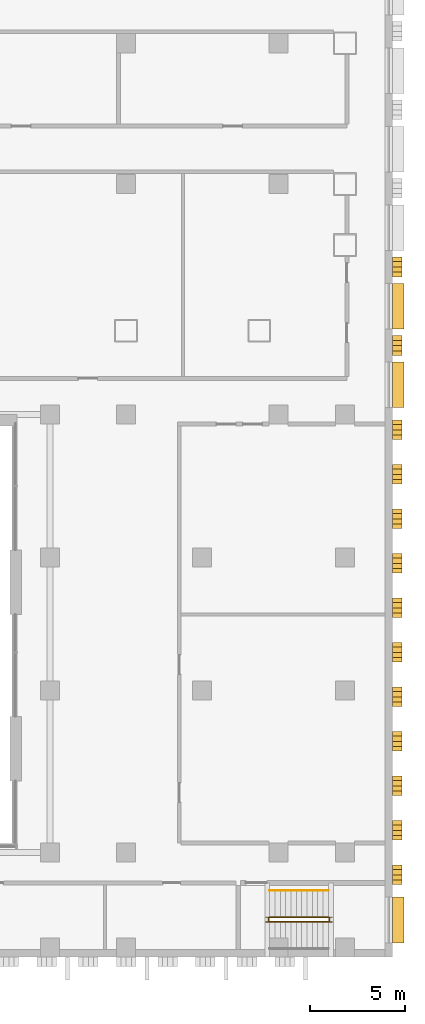
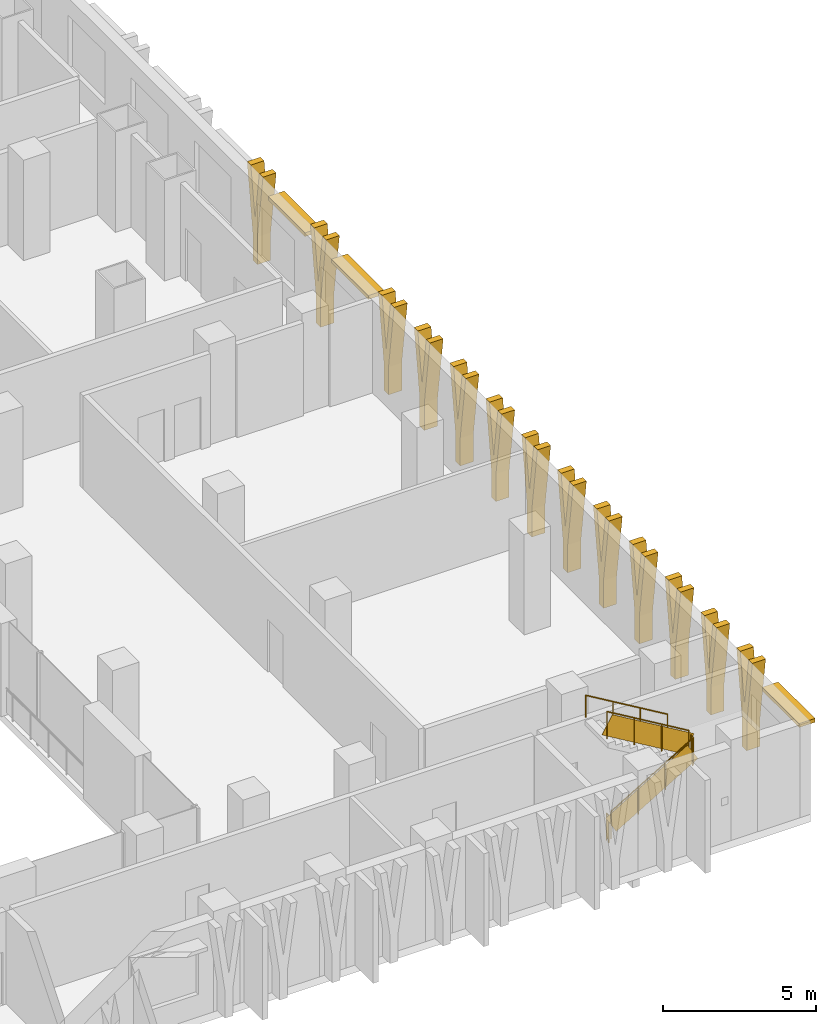
# One storey, part 22 of 25: 16 shading devices, 5 railings.
"""IFC4 building model written with IfcOpenShell, lengths in metres."""

from ifc_helpers import new_model, si_unit, direction, frame, origin, origin_2d, place, context, subcontext, project, spatial, polyline, rectangle, circle, outline, extrude, material, layer, layer_set, type_object, element, save


model = new_model("IFC4")

# Units and contexts
model_context = context("Model", 3, precision=1e-05, world=origin(), true_north=direction((0.0, 1.0)))
body_context = subcontext(model_context, "Body", "Model", "MODEL_VIEW")
ifc_project = project(units=[si_unit("LENGTHUNIT", "METRE"), si_unit("AREAUNIT", "SQUARE_METRE"), si_unit("VOLUMEUNIT", "CUBIC_METRE"), si_unit("PLANEANGLEUNIT", "RADIAN"), si_unit("MASSUNIT", "GRAM", prefix="KILO")], contexts=[model_context])

# Site, building, storey
site_placement = place(None, origin())
site = spatial("IfcSite", under=ifc_project, at=site_placement, CompositionType="ELEMENT")
building_placement = place(site_placement, origin())
building = spatial("IfcBuilding", under=site, at=building_placement, Name="Vidyagriha Tower", CompositionType="ELEMENT")
storey_placement = place(building_placement, frame((0.0, 0.0, 14.0)))
storey = spatial("IfcBuildingStorey", under=building, at=storey_placement, Name="L03", CompositionType="ELEMENT", Elevation=14.0)

# Shading devices
ifc_material_1 = material(Name="Precast concrete C40/50 with brick facing", Category="concrete")
ifc_layer_1 = layer(ifc_material_1, 0.14990234375)
ifc_layer_set_1 = layer_set([ifc_layer_1], Name="Precast concrete C40/50 with brick facing")
shading_device_type_1 = type_object("IfcShadingDeviceType", Name="Brick chhajja window hood", PredefinedType="AWNING", material=ifc_layer_set_1)
for number, where, z_axis, x_axis, name in (
    (1, (40.300048828125, -48.050048828125, 3.0), (0.0, 0.0, 1.0), (0.0, 1.0, 0.0), "Window hood L03 R01.1"),
    (2, (40.300048828125, -19.9375, 3.0), (0.0, 0.0, 1.0), (0.0, 1.0, 0.0), "Window hood L03 R01.10"),
    (3, (40.300048828125, -15.8125, 3.0), (0.0, 0.0, 1.0), (0.0, 1.0, 0.0), "Window hood L03 R01.11"),
):
    element("IfcShadingDevice", number, at=place(storey_placement, frame(where, z_axis=z_axis, x_axis=x_axis)), inside=storey, type_object=shading_device_type_1, Name=name, PredefinedType="AWNING", context=body_context, shape_type="SweptSolid", body=[
        extrude(rectangle(XDim=2.39990234375, YDim=0.60009765625, at=origin_2d()), origin(), (0.0, 0.0, 1.0), 0.14990234375),
    ])
ifc_material_2 = material(Name="Precast concrete C40/50 with buff brick facing", Category="concrete")
ifc_layer_2 = layer(ifc_material_2, 0.300048828125)
ifc_layer_set_2 = layer_set([ifc_layer_2], Name="Precast concrete C40/50 with buff brick facing")
shading_device_type_2 = type_object("IfcShadingDeviceType", Name="Brick-faced podium blade forking 8 degrees", PredefinedType="USERDEFINED", material=ifc_layer_set_2)
for number, where, z_axis, x_axis, name in (
    (4, (40.25, -46.19677734375, 0.0), (0.0, 0.0, 1.0), (0.0, 1.0, 0.0), "Podium blade L03 R01.432"),
    (5, (40.25, -43.859130859375, 0.0), (0.0, 0.0, 1.0), (0.0, 1.0, 0.0), "Podium blade L03 R01.666"),
    (6, (40.25, -41.521728515625, 0.0), (0.0, 0.0, 1.0), (0.0, 1.0, 0.0), "Podium blade L03 R01.899"),
    (7, (40.25, -39.18408203125, 0.0), (0.0, 0.0, 1.0), (0.0, 1.0, 0.0), "Podium blade L03 R01.1133"),
    (8, (40.25, -36.8466796875, 0.0), (0.0, 0.0, 1.0), (0.0, 1.0, 0.0), "Podium blade L03 R01.1367"),
    (9, (40.25, -34.50927734375, 0.0), (0.0, 0.0, 1.0), (0.0, 1.0, 0.0), "Podium blade L03 R01.1601"),
    (10, (40.25, -32.171630859375, 0.0), (0.0, 0.0, 1.0), (0.0, 1.0, 0.0), "Podium blade L03 R01.1834"),
    (11, (40.25, -29.834228515625, 0.0), (0.0, 0.0, 1.0), (0.0, 1.0, 0.0), "Podium blade L03 R01.2068"),
    (12, (40.25, -27.49658203125, 0.0), (0.0, 0.0, 1.0), (0.0, 1.0, 0.0), "Podium blade L03 R01.2302"),
    (13, (40.25, -25.1591796875, 0.0), (0.0, 0.0, 1.0), (0.0, 1.0, 0.0), "Podium blade L03 R01.2536"),
    (14, (40.25, -22.82177734375, 0.0), (0.0, 0.0, 1.0), (0.0, 1.0, 0.0), "Podium blade L03 R01.2769"),
    (15, (40.25, -18.390380859375, 0.0), (0.0, 0.0, 1.0), (0.0, 1.0, 0.0), "Podium blade L03 R01.3212"),
    (16, (40.25, -14.265380859375, 0.0), (0.0, 0.0, 1.0), (0.0, 1.0, 0.0), "Podium blade L03 R01.3625"),
):
    element("IfcShadingDevice", number, at=place(storey_placement, frame(where, z_axis=z_axis, x_axis=x_axis)), inside=storey, type_object=shading_device_type_2, Name=name, ObjectType="BLADE FIN", PredefinedType="USERDEFINED", context=body_context, shape_type="SweptSolid", body=[
        extrude(outline(polyline([(0.665283203125, 0.0), (0.665283203125, 1.10009765625), (1.03076171875, 3.699951171875), (0.790771484375, 3.699951171875), (0.515380859375, 1.740478515625), (0.239990234375, 3.699951171875), (0.0, 3.699951171875), (0.365478515625, 1.10009765625), (0.365478515625, 0.0), (0.665283203125, 0.0)])), frame((0.0, 0.25, 0.0), z_axis=(0.0, -1.0, 0.0), x_axis=(1.0, 0.0, 0.0)), (0.0, 0.0, 1.0), 0.5),
    ])

# Railings
ifc_material_3 = material(Name="Powder coated ASTM A500 Grade C steel balustrade", Category="steel")
railing_type_1 = type_object("IfcRailingType", Name="Podium Stair Guard 1100", PredefinedType="GUARDRAIL", material=ifc_material_3)
railing_1_placement = place(storey_placement, frame((33.544921875, -48.14990234375, 0.166748046875)))
element("IfcRailing", 17, at=railing_1_placement, inside=storey, type_object=railing_type_1, Name="L03 PS2 stair guard 1", PredefinedType="GUARDRAIL", context=body_context, shape_type="SweptSolid", body=[
    extrude(circle(Radius=0.02392578125, at=origin_2d()), frame((0.0, 0.0, 1.076171875), z_axis=(0.859308565015, 0.0, 0.511457515432), x_axis=(0.0, 1.0, 0.0)), (0.0, 0.0, 1.0), 3.58447265625),
    extrude(circle(Radius=0.02099609375, at=origin_2d()), origin(), (0.0, 0.0, 1.0), 1.052001953125),
    extrude(circle(Radius=0.02099609375, at=origin_2d()), frame((1.026611328125, 0.0, 0.611083984375)), (0.0, 0.0, 1.0), 1.052001953125),
    extrude(circle(Radius=0.02099609375, at=origin_2d()), frame((2.053466796875, 0.0, 1.22216796875)), (0.0, 0.0, 1.0), 1.052001953125),
    extrude(circle(Radius=0.02099609375, at=origin_2d()), frame((3.080078125, 0.0, 1.833251953125)), (0.0, 0.0, 1.0), 1.052001953125),
    extrude(rectangle(XDim=0.010009765625, YDim=0.775146484375, at=origin_2d()), frame((0.0, 0.0, 0.551025390625), z_axis=(0.859308565015, 0.0, 0.511457515432), x_axis=(0.0, 1.0, 0.0)), (0.0, 0.0, 1.0), 3.58447265625),
])
railing_2_placement = place(storey_placement, frame((36.675048828125, -48.10009765625, 2.0)))
element("IfcRailing", 18, at=railing_2_placement, inside=storey, type_object=railing_type_1, Name="L03 PS2 stair guard 2", PredefinedType="GUARDRAIL", context=body_context, shape_type="SweptSolid", body=[
    extrude(circle(Radius=0.02392578125, at=origin_2d()), frame((0.0, 0.0, 1.076171875), z_axis=(0.0, 1.0, 0.0), x_axis=(-1.0, 0.0, 0.0)), (0.0, 0.0, 1.0), 0.150146484375),
    extrude(circle(Radius=0.02099609375, at=origin_2d()), origin(), (0.0, 0.0, 1.0), 1.052001953125),
    extrude(circle(Radius=0.02099609375, at=origin_2d()), frame((0.0, 0.150146484375, 0.0)), (0.0, 0.0, 1.0), 1.052001953125),
    extrude(rectangle(XDim=0.010009765625, YDim=0.902099609375, at=origin_2d()), frame((0.0, 0.0, 0.551025390625), z_axis=(0.0, 1.0, 0.0), x_axis=(-1.0, 0.0, 0.0)), (0.0, 0.0, 1.0), 0.150146484375),
])
railing_3_placement = place(storey_placement, frame((36.625, -47.89990234375, 2.166748046875)))
element("IfcRailing", 19, at=railing_3_placement, inside=storey, type_object=railing_type_1, Name="L03 PS2 stair guard 3", PredefinedType="GUARDRAIL", context=body_context, shape_type="SweptSolid", body=[
    extrude(circle(Radius=0.02392578125, at=origin_2d()), frame((0.0, 0.0, 1.076171875), z_axis=(-0.859308565015, 0.0, 0.511457515432), x_axis=(0.0, -1.0, 0.0)), (0.0, 0.0, 1.0), 3.58447265625),
    extrude(circle(Radius=0.02099609375, at=origin_2d()), origin(), (0.0, 0.0, 1.0), 1.052001953125),
    extrude(circle(Radius=0.02099609375, at=origin_2d()), frame((-1.026611328125, 0.0, 0.611083984375)), (0.0, 0.0, 1.0), 1.052001953125),
    extrude(circle(Radius=0.02099609375, at=origin_2d()), frame((-2.053466796875, 0.0, 1.22216796875)), (0.0, 0.0, 1.0), 1.052001953125),
    extrude(circle(Radius=0.02099609375, at=origin_2d()), frame((-3.080078125, 0.0, 1.833251953125)), (0.0, 0.0, 1.0), 1.052001953125),
    extrude(rectangle(XDim=0.010009765625, YDim=0.775146484375, at=origin_2d()), frame((0.0, 0.0, 0.551025390625), z_axis=(-0.859308565015, 0.0, 0.511457515432), x_axis=(0.0, -1.0, 0.0)), (0.0, 0.0, 1.0), 3.58447265625),
])
railing_4_placement = place(storey_placement, frame((33.4951171875, -48.10009765625, 0.0)))
element("IfcRailing", 20, at=railing_4_placement, inside=storey, type_object=railing_type_1, Name="L03 PS2 stair guard 4", PredefinedType="GUARDRAIL", context=body_context, shape_type="SweptSolid", body=[
    extrude(circle(Radius=0.02392578125, at=origin_2d()), frame((0.0, 0.0, 1.076171875), z_axis=(0.0, 1.0, 0.0), x_axis=(-1.0, 0.0, 0.0)), (0.0, 0.0, 1.0), 0.150146484375),
    extrude(circle(Radius=0.02099609375, at=origin_2d()), origin(), (0.0, 0.0, 1.0), 1.052001953125),
    extrude(circle(Radius=0.02099609375, at=origin_2d()), frame((0.0, 0.150146484375, 0.0)), (0.0, 0.0, 1.0), 1.052001953125),
    extrude(rectangle(XDim=0.010009765625, YDim=0.902099609375, at=origin_2d()), frame((0.0, 0.0, 0.551025390625), z_axis=(0.0, 1.0, 0.0), x_axis=(-1.0, 0.0, 0.0)), (0.0, 0.0, 1.0), 0.150146484375),
])
ifc_material_4 = material(Name="Powder coated ASTM A500 Grade C steel handrail", Category="steel")
railing_type_2 = type_object("IfcRailingType", Name="Podium Stair Handrail 900", PredefinedType="HANDRAIL", material=ifc_material_4)
railing_5_placement = place(storey_placement, frame((36.625, -46.5, 2.166748046875)))
element("IfcRailing", 21, at=railing_5_placement, inside=storey, type_object=railing_type_2, Name="L03 PS2 stair handrail 2", PredefinedType="HANDRAIL", context=body_context, shape_type="SweptSolid", body=[
    extrude(circle(Radius=0.02392578125, at=origin_2d()), frame((0.0, 0.0, 0.8759765625), z_axis=(-0.859308565015, 0.0, 0.511457515432), x_axis=(0.0, -1.0, 0.0)), (0.0, 0.0, 1.0), 3.58447265625),
    extrude(circle(Radius=0.02099609375, at=origin_2d()), origin(), (0.0, 0.0, 1.0), 0.851806640625),
    extrude(circle(Radius=0.02099609375, at=origin_2d()), frame((-1.026611328125, 0.0, 0.611083984375)), (0.0, 0.0, 1.0), 0.851806640625),
    extrude(circle(Radius=0.02099609375, at=origin_2d()), frame((-2.053466796875, 0.0, 1.22216796875)), (0.0, 0.0, 1.0), 0.851806640625),
    extrude(circle(Radius=0.02099609375, at=origin_2d()), frame((-3.080078125, 0.0, 1.833251953125)), (0.0, 0.0, 1.0), 0.851806640625),
])

save(model, "model.ifc")
